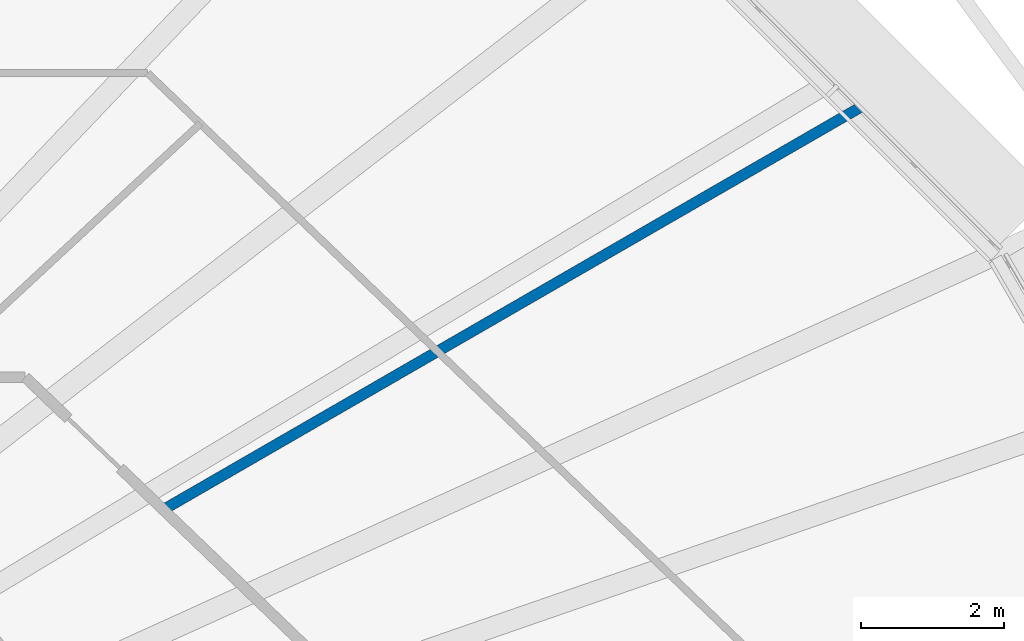
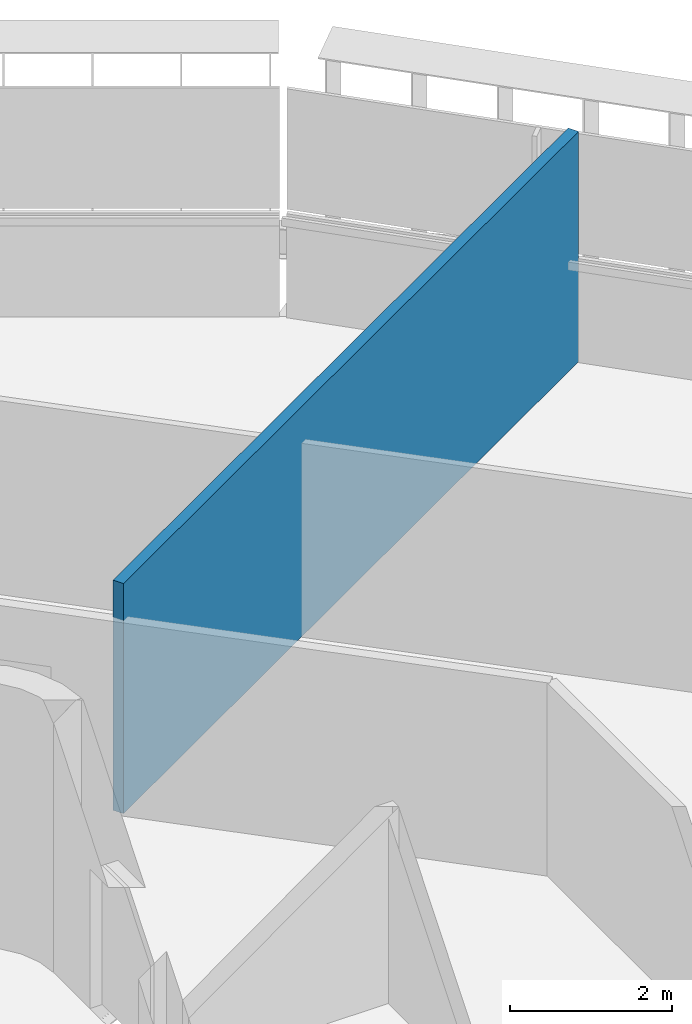
# One storey, part 13 of 20: 1 wall.
"""IFC4 building model written with IfcOpenShell, lengths in metres."""

from ifc_helpers import new_model, si_unit, direction, frame, frame_2d, origin, place, context, subcontext, project, spatial, rectangle, extrude, material, layer, layer_set, type_object, element, save


model = new_model("IFC4")

# Units and contexts
model_context = context("Model", 3, precision=1e-05, world=origin(), true_north=direction((0.0, 1.0)))
body_context = subcontext(model_context, "Body", "Model", "MODEL_VIEW")
ifc_project = project(units=[si_unit("LENGTHUNIT", "METRE"), si_unit("AREAUNIT", "SQUARE_METRE"), si_unit("VOLUMEUNIT", "CUBIC_METRE"), si_unit("PLANEANGLEUNIT", "RADIAN"), si_unit("MASSUNIT", "GRAM", prefix="KILO")], contexts=[model_context])

# Site, building, storey
site_placement = place(None, origin())
site = spatial("IfcSite", under=ifc_project, at=site_placement, CompositionType="ELEMENT")
building_placement = place(site_placement, origin())
building = spatial("IfcBuilding", under=site, at=building_placement, Name="Sahrelin Media Tower", CompositionType="ELEMENT")
storey_placement = place(building_placement, frame((0.0, 0.0, 271.0)))
storey = spatial("IfcBuildingStorey", under=building, at=storey_placement, Name="L59", CompositionType="ELEMENT", Elevation=271.0)

# Wall
ifc_material = material(Name="Fire-rated gypsum board partition")
ifc_layer = layer(ifc_material, 0.14990234375)
ifc_layer_set = layer_set([ifc_layer], Name="Fire-rated partition 150")
wall_type = type_object("IfcWallType", Name="Fire-rated partition 150", PredefinedType="PARTITIONING", material=ifc_layer_set)
wall_placement = place(storey_placement, frame((14.02392578125, 8.095947265625, 0.0), z_axis=(0.0, 0.0, 1.0), x_axis=(0.866020158842, 0.500009084397, 0.0)))
element("IfcWall", 1, at=wall_placement, inside=storey, type_object=wall_type, Name="Wall", PredefinedType="PARTITIONING", context=body_context, shape_type="SweptSolid", body=[
    extrude(rectangle(XDim=11.256103515625, YDim=0.14990234375, at=frame_2d((5.6279296875, 0.0))), origin(), (0.0, 0.0, 1.0), 3.47509765625),
])

save(model, "model.ifc")
